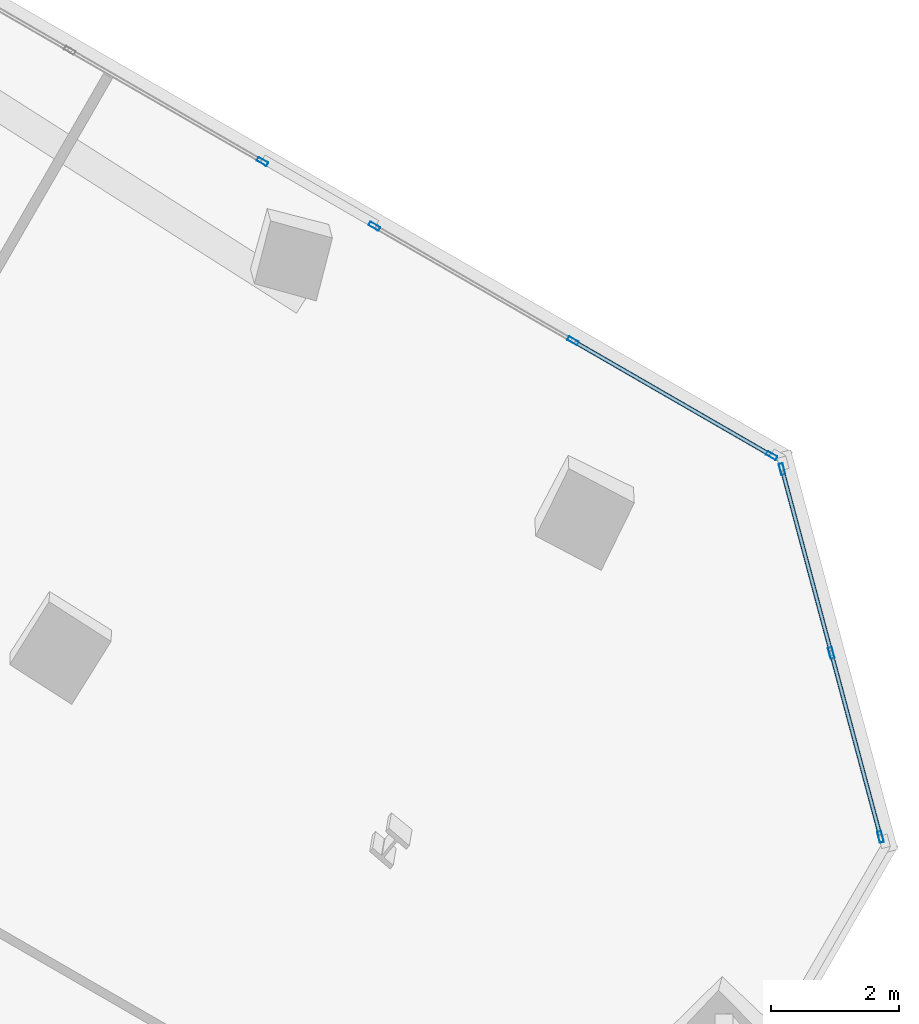
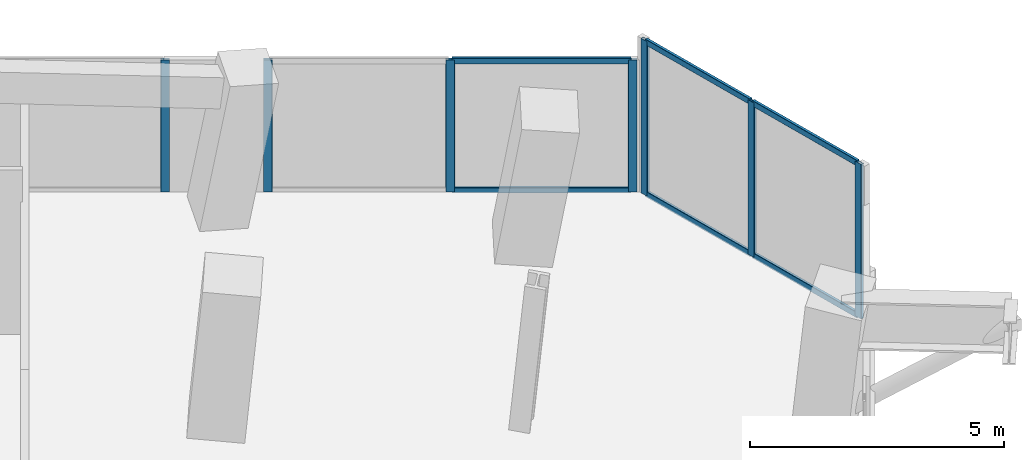
# One storey, part 11 of 22: 13 members, 3 elements without a shape of their own.
"""IFC4 building model written with IfcOpenShell, lengths in metres."""

from ifc_helpers import new_model, si_unit, direction, frame, origin, origin_2d, place, context, subcontext, project, spatial, hollow_rectangle, extrude, source, transform, mapped, material, material_profile, profile_set, type_object, element, aggregate, save


model = new_model("IFC4")

# Units and contexts
model_context = context("Model", 3, precision=1e-05, world=origin(), true_north=direction((0.0, 1.0)))
body_context = subcontext(model_context, "Body", "Model", "MODEL_VIEW")
ifc_project = project(units=[si_unit("LENGTHUNIT", "METRE"), si_unit("AREAUNIT", "SQUARE_METRE"), si_unit("VOLUMEUNIT", "CUBIC_METRE"), si_unit("PLANEANGLEUNIT", "RADIAN"), si_unit("MASSUNIT", "GRAM", prefix="KILO")], contexts=[model_context])

# Site, building, storey
site_placement = place(None, origin())
site = spatial("IfcSite", under=ifc_project, at=site_placement, CompositionType="ELEMENT")
building_placement = place(site_placement, origin())
building = spatial("IfcBuilding", under=site, at=building_placement, Name="Torre Montelarca", CompositionType="ELEMENT")
storey_placement = place(building_placement, frame((0.0, 0.0, 183.39990234375)))
storey = spatial("IfcBuildingStorey", under=building, at=storey_placement, Name="L41", CompositionType="ELEMENT", Elevation=183.39990234375)

# Curtain wall, members
ifc_material_1 = material(Name="Insulated low-E laminated glass", Category="glass")
curtain_wall_type = type_object("IfcCurtainWallType", Name="CW-SYS-Z2", PredefinedType="USERDEFINED", material=ifc_material_1)
curtain_wall_1_placement = place(storey_placement, origin())
curtain_wall_1 = element("IfcCurtainWall", 1, at=curtain_wall_1_placement, inside=storey, type_object=curtain_wall_type, Name="L41 Curtain Wall Run CW-T3-L41-E07-B1", ObjectType="UNITISED GLAZING", PredefinedType="USERDEFINED")
ifc_material_2 = material(Name="Anodised aluminium AA 6063-T6", Category="aluminium")
ifc_material_profile_1 = material_profile(ifc_material_2, hollow_rectangle(XDim=0.06494140625, YDim=0.139892578125, WallThickness=0.00390625, InnerFilletRadius=0.00390625, OuterFilletRadius=0.008056640625, at=origin_2d()), Name="ALU65X140X4", Category="aluminium")
ifc_profile_set_1 = profile_set([ifc_material_profile_1], Name="Anodised aluminium AA 6063-T6")
member_type_1 = type_object("IfcMemberType", Name="CWT-ALU140", PredefinedType="USERDEFINED", material=ifc_profile_set_1)
shared_shape_1 = source(origin(), body_context, "Body", "SweptSolid", [
    extrude(hollow_rectangle(XDim=0.06494140625, YDim=0.139892578125, WallThickness=0.00390625, InnerFilletRadius=0.00390625, OuterFilletRadius=0.008056640625, at=origin_2d()), origin(), (0.0, 0.0, 1.0), 2.91845703125),
])
member_1_placement = place(storey_placement, frame((50.893798828125, 28.621826171875, 0.03271484375), z_axis=(-0.258818317304, 0.965926021302, 0.0), x_axis=(-0.965926021302, -0.258818317304, 0.0)))
member_1 = element("IfcMember", 2, at=member_1_placement, type_object=member_type_1, Name="CW transom 1.1", ObjectType="TRANSOM", PredefinedType="USERDEFINED", context=body_context, shape_type="MappedRepresentation", body=[
    mapped(shared_shape_1, transform((0.0, 0.0, 0.0), scale=1.0)),
])
member_2_placement = place(storey_placement, frame((50.893798828125, 28.621826171875, 3.6875), z_axis=(-0.258818317304, 0.965926021302, 0.0), x_axis=(-0.965926021302, -0.258818317304, 0.0)))
member_2 = element("IfcMember", 3, at=member_2_placement, type_object=member_type_1, Name="CW transom 1.2", ObjectType="TRANSOM", PredefinedType="USERDEFINED", context=body_context, shape_type="MappedRepresentation", body=[
    mapped(shared_shape_1, transform((0.0, 0.0, 0.0), scale=1.0)),
])
member_3_placement = place(storey_placement, frame((50.12158203125, 31.50390625, 0.03271484375), z_axis=(-0.258818317304, 0.965926021302, 0.0), x_axis=(-0.965926021302, -0.258818317304, 0.0)))
member_3 = element("IfcMember", 4, at=member_3_placement, type_object=member_type_1, Name="CW transom 2.1", ObjectType="TRANSOM", PredefinedType="USERDEFINED", context=body_context, shape_type="MappedRepresentation", body=[
    mapped(shared_shape_1, transform((0.0, 0.0, 0.0), scale=1.0)),
])
member_4_placement = place(storey_placement, frame((50.12158203125, 31.50390625, 3.6875), z_axis=(-0.258818317304, 0.965926021302, 0.0), x_axis=(-0.965926021302, -0.258818317304, 0.0)))
member_4 = element("IfcMember", 5, at=member_4_placement, type_object=member_type_1, Name="CW transom 2.2", ObjectType="TRANSOM", PredefinedType="USERDEFINED", context=body_context, shape_type="MappedRepresentation", body=[
    mapped(shared_shape_1, transform((0.0, 0.0, 0.0), scale=1.0)),
])
ifc_material_profile_2 = material_profile(ifc_material_2, hollow_rectangle(XDim=0.06494140625, YDim=0.179931640625, WallThickness=0.00390625, InnerFilletRadius=0.00390625, OuterFilletRadius=0.008056640625, at=origin_2d()), Name="ALU65X180X4", Category="aluminium")
ifc_profile_set_2 = profile_set([ifc_material_profile_2], Name="Anodised aluminium AA 6063-T6")
member_type_2 = type_object("IfcMemberType", Name="CWM-ALU180", PredefinedType="MULLION", material=ifc_profile_set_2)
shared_shape_2 = source(origin(), body_context, "Body", "SweptSolid", [
    extrude(hollow_rectangle(XDim=0.06494140625, YDim=0.179931640625, WallThickness=0.00390625, InnerFilletRadius=0.00390625, OuterFilletRadius=0.008056640625, at=origin_2d()), origin(), (0.0, 0.0, 1.0), 3.72021484375),
])
member_5_placement = place(storey_placement, frame((50.902099609375, 28.590576171875, 0.0), z_axis=(0.0, 0.0, 1.0), x_axis=(-0.965927184196, -0.258813977273, 0.0)))
member_5 = element("IfcMember", 6, at=member_5_placement, type_object=member_type_2, Name="CW mullion 1", PredefinedType="MULLION", context=body_context, shape_type="MappedRepresentation", body=[
    mapped(shared_shape_2, transform((0.0, 0.0, 0.0), scale=1.0)),
])
member_6_placement = place(storey_placement, frame((50.1298828125, 31.472412109375, 0.0), z_axis=(0.0, 0.0, 1.0), x_axis=(-0.965927184196, -0.258813977273, 0.0)))
member_6 = element("IfcMember", 7, at=member_6_placement, type_object=member_type_2, Name="CW mullion 2", PredefinedType="MULLION", context=body_context, shape_type="MappedRepresentation", body=[
    mapped(shared_shape_2, transform((0.0, 0.0, 0.0), scale=1.0)),
])
member_7_placement = place(storey_placement, frame((49.35791015625, 34.354248046875, 0.0), z_axis=(0.0, 0.0, 1.0), x_axis=(-0.965927184196, -0.258813977273, 0.0)))
member_7 = element("IfcMember", 8, at=member_7_placement, type_object=member_type_2, Name="CW mullion 3", PredefinedType="MULLION", context=body_context, shape_type="MappedRepresentation", body=[
    mapped(shared_shape_2, transform((0.0, 0.0, 0.0), scale=1.0)),
])
aggregate(curtain_wall_1, [member_5, member_6, member_7, member_1, member_2, member_3, member_4])

curtain_wall_2_placement = place(storey_placement, origin())
curtain_wall_2 = element("IfcCurtainWall", 9, at=curtain_wall_2_placement, inside=storey, type_object=curtain_wall_type, Name="L41 Curtain Wall Run CW-T3-L41-E08-B1", ObjectType="UNITISED GLAZING", PredefinedType="USERDEFINED")
shared_shape_3 = source(origin(), body_context, "Body", "SweptSolid", [
    extrude(hollow_rectangle(XDim=0.06494140625, YDim=0.179931640625, WallThickness=0.00390625, InnerFilletRadius=0.00390625, OuterFilletRadius=0.008056640625, at=origin_2d()), origin(), (0.0, 0.0, 1.0), 3.175048828125),
])
member_8_placement = place(storey_placement, frame((49.1953125, 34.566162109375, 0.0), z_axis=(0.0, 0.0, 1.0), x_axis=(-0.500001282416, -0.86602466338, 0.0)))
member_8 = element("IfcMember", 10, at=member_8_placement, type_object=member_type_2, Name="CW mullion 1", PredefinedType="MULLION", context=body_context, shape_type="MappedRepresentation", body=[
    mapped(shared_shape_3, transform((0.0, 0.0, 0.0), scale=1.0)),
])
member_9_placement = place(storey_placement, frame((46.082275390625, 36.363525390625, 0.0), z_axis=(0.0, 0.0, 1.0), x_axis=(-0.500001282416, -0.86602466338, 0.0)))
member_9 = element("IfcMember", 11, at=member_9_placement, type_object=member_type_2, Name="CW mullion 2", PredefinedType="MULLION", context=body_context, shape_type="MappedRepresentation", body=[
    mapped(shared_shape_3, transform((0.0, 0.0, 0.0), scale=1.0)),
])
member_10_placement = place(storey_placement, frame((42.96923828125, 38.16064453125, 0.0), z_axis=(0.0, 0.0, 1.0), x_axis=(-0.500001282416, -0.86602466338, 0.0)))
member_10 = element("IfcMember", 12, at=member_10_placement, type_object=member_type_2, Name="CW mullion 3", PredefinedType="MULLION", context=body_context, shape_type="MappedRepresentation", body=[
    mapped(shared_shape_3, transform((0.0, 0.0, 0.0), scale=1.0)),
])

# Curtain wall, member
curtain_wall_3_placement = place(storey_placement, origin())
curtain_wall_3 = element("IfcCurtainWall", 13, at=curtain_wall_3_placement, inside=storey, type_object=curtain_wall_type, Name="L41 Curtain Wall Run CW-T3-L41-E08-B2", ObjectType="UNITISED GLAZING", PredefinedType="USERDEFINED")
member_11_placement = place(storey_placement, frame((41.215576171875, 39.17333984375, 0.0), z_axis=(0.0, 0.0, 1.0), x_axis=(-0.49999500825, -0.866028285754, 0.0)))
member_11 = element("IfcMember", 14, at=member_11_placement, type_object=member_type_2, Name="CW mullion 1", PredefinedType="MULLION", context=body_context, shape_type="MappedRepresentation", body=[
    mapped(shared_shape_3, transform((0.0, 0.0, 0.0), scale=1.0)),
])
aggregate(curtain_wall_3, [member_11])

# Member
shared_shape_4 = source(origin(), body_context, "Body", "SweptSolid", [
    extrude(hollow_rectangle(XDim=0.06494140625, YDim=0.139892578125, WallThickness=0.00390625, InnerFilletRadius=0.00390625, OuterFilletRadius=0.008056640625, at=origin_2d()), origin(), (0.0, 0.0, 1.0), 3.529541015625),
])
member_12_placement = place(storey_placement, frame((49.1669921875, 34.58251953125, 0.03271484375), z_axis=(-0.866038144413, 0.499977931934, 0.0), x_axis=(-0.499977931934, -0.866038144413, 0.0)))
member_12 = element("IfcMember", 15, at=member_12_placement, type_object=member_type_1, Name="CW transom 1.1", ObjectType="TRANSOM", PredefinedType="USERDEFINED", context=body_context, shape_type="MappedRepresentation", body=[
    mapped(shared_shape_4, transform((0.0, 0.0, 0.0), scale=1.0)),
])

member_13_placement = place(storey_placement, frame((49.1669921875, 34.58251953125, 3.142578125), z_axis=(-0.866038144413, 0.499977931934, 0.0), x_axis=(-0.499977931934, -0.866038144413, 0.0)))
member_13 = element("IfcMember", 16, at=member_13_placement, type_object=member_type_1, Name="CW transom 1.2", ObjectType="TRANSOM", PredefinedType="USERDEFINED", context=body_context, shape_type="MappedRepresentation", body=[
    mapped(shared_shape_4, transform((0.0, 0.0, 0.0), scale=1.0)),
])

aggregate(curtain_wall_2, [member_8, member_9, member_10, member_12, member_13])

save(model, "model.ifc")
